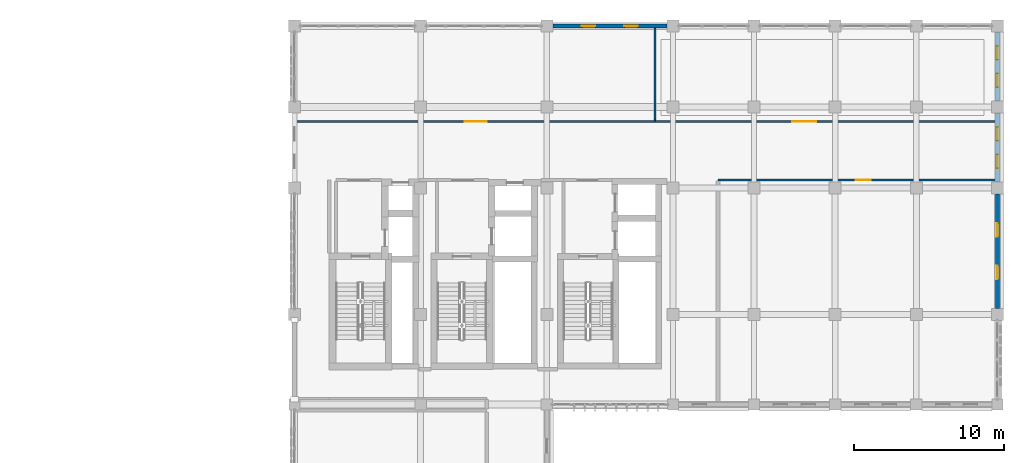
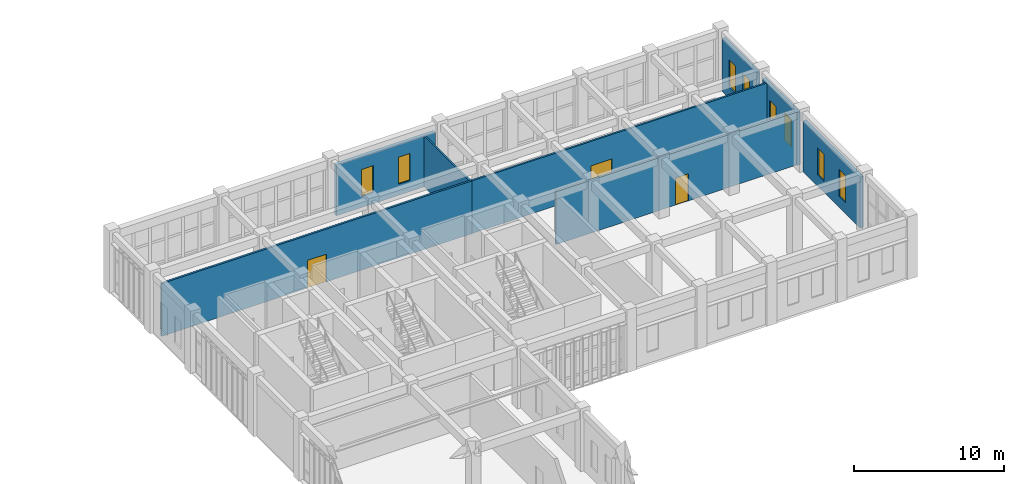
# One storey, part 68 of 77: 8 walls, 8 windows, 3 doors, 11 openings.
"""IFC4 building model written with IfcOpenShell, lengths in metres."""

from ifc_helpers import new_model, si_unit, direction, frame, frame_2d, origin, place, context, subcontext, project, spatial, rectangle, extrude, material, layer, layer_set, type_object, element, fill, save


model = new_model("IFC4")

# Units and contexts
model_context = context("Model", 3, precision=1e-05, world=origin(), true_north=direction((0.0, 1.0)))
body_context = subcontext(model_context, "Body", "Model", "MODEL_VIEW")
ifc_project = project(units=[si_unit("LENGTHUNIT", "METRE"), si_unit("AREAUNIT", "SQUARE_METRE"), si_unit("VOLUMEUNIT", "CUBIC_METRE"), si_unit("PLANEANGLEUNIT", "RADIAN"), si_unit("MASSUNIT", "GRAM", prefix="KILO")], contexts=[model_context])

# Site, building, storey
site_placement = place(None, origin())
site = spatial("IfcSite", under=ifc_project, at=site_placement, CompositionType="ELEMENT")
building_placement = place(site_placement, origin())
building = spatial("IfcBuilding", under=site, at=building_placement, Name="Krzemoval Escarpment Law Courts", CompositionType="ELEMENT")
storey_placement = place(building_placement, frame((0.0, 0.0, 15.300048828125)))
storey = spatial("IfcBuildingStorey", under=building, at=storey_placement, Name="L03", CompositionType="ELEMENT", Elevation=15.300048828125)

# Wall, openings, windows
ifc_material_1 = material(Name="Precast concrete C40/50", Category="concrete")
ifc_layer_1 = layer(ifc_material_1, 0.260009765625)
ifc_layer_set_1 = layer_set([ifc_layer_1], Name="Precast concrete C40/50")
wall_type_1 = type_object("IfcWallType", Name="WL-EXT-260", PredefinedType="SOLIDWALL", material=ifc_layer_set_1)
wall_1_placement = place(storey_placement, frame((143.199951171875, 118.800048828125, 0.0), z_axis=(0.0, 0.0, 1.0), x_axis=(1.0, 0.0, 0.0)))
wall_1 = element("IfcWall", 1, at=wall_1_placement, inside=storey, type_object=wall_type_1, Name="Exterior Wall EW-L03-0380", PredefinedType="SOLIDWALL", context=body_context, shape_type="SweptSolid", body=[
    extrude(rectangle(XDim=7.60009765625, YDim=0.260009765625, at=frame_2d((3.800048828125, 0.0))), origin(), (0.0, 0.0, 1.0), 4.139892578125),
])
opening_1_placement = place(wall_1_placement, frame((1.93310546875, 0.0, 0.89990234375)))
opening_1 = element("IfcOpeningElement", 2, at=opening_1_placement, cuts=wall_1, Name="Opening WN-L03-0438", PredefinedType="OPENING", context=body_context, shape_type="SweptSolid", body=[
    extrude(rectangle(XDim=0.89990234375, YDim=2.199951171875, at=frame_2d((0.449951171875, 1.10009765625))), frame((0.0, 0.145, 0.0), z_axis=(0.0, -1.0, 0.0), x_axis=(1.0, 0.0, 0.0)), (0.0, 0.0, 1.0), 0.29001),
])
opening_2_placement = place(wall_1_placement, frame((4.76708984375, 0.0, 0.89990234375)))
opening_2 = element("IfcOpeningElement", 3, at=opening_2_placement, cuts=wall_1, Name="Opening WN-L03-0439", PredefinedType="OPENING", context=body_context, shape_type="SweptSolid", body=[
    extrude(rectangle(XDim=0.89990234375, YDim=2.199951171875, at=frame_2d((0.449951171875, 1.10009765625))), frame((0.0, 0.145, 0.0), z_axis=(0.0, -1.0, 0.0), x_axis=(1.0, 0.0, 0.0)), (0.0, 0.0, 1.0), 0.29001),
])
ifc_material_2 = material(Name="Thermally Broken Aluminium Frame with Triple Low-E Acoustic Glass", Category="aluminium")
window_type = type_object("IfcWindowType", Name="WN-900x2200", PartitioningType="SINGLE_PANEL", PredefinedType="WINDOW", material=ifc_material_2)
window_1_placement = place(opening_1_placement, origin())
window_1 = element("IfcWindow", 4, at=window_1_placement, inside=storey, type_object=window_type, Name="Facade Window WN-L03-0438", OverallHeight=2.199951171875, OverallWidth=0.89990234375, PartitioningType="SINGLE_PANEL", PredefinedType="WINDOW", context=body_context, shape_type="SweptSolid", body=[
    extrude(rectangle(XDim=0.89990234375, YDim=2.199951171875, at=frame_2d((0.449951171875, 1.10009765625))), frame((0.0, 0.030029296875, 0.0), z_axis=(0.0, -1.0, 0.0), x_axis=(1.0, 0.0, 0.0)), (0.0, 0.0, 1.0), 0.06005859375),
])
fill(opening_1, window_1)
window_2_placement = place(opening_2_placement, origin())
window_2 = element("IfcWindow", 5, at=window_2_placement, inside=storey, type_object=window_type, Name="Facade Window WN-L03-0439", OverallHeight=2.199951171875, OverallWidth=0.89990234375, PartitioningType="SINGLE_PANEL", PredefinedType="WINDOW", context=body_context, shape_type="SweptSolid", body=[
    extrude(rectangle(XDim=0.89990234375, YDim=2.199951171875, at=frame_2d((0.449951171875, 1.10009765625))), frame((0.0, 0.030029296875, 0.0), z_axis=(0.0, -1.0, 0.0), x_axis=(1.0, 0.0, 0.0)), (0.0, 0.0, 1.0), 0.06005859375),
])
fill(opening_2, window_2)

wall_2_placement = place(storey_placement, frame((172.800048828125, 118.39990234375, 0.0), z_axis=(0.0, 0.0, 1.0), x_axis=(0.0, -1.0, 0.0)))
wall_2 = element("IfcWall", 6, at=wall_2_placement, inside=storey, type_object=wall_type_1, Name="Exterior Wall EW-L03-0381", PredefinedType="SOLIDWALL", context=body_context, shape_type="SweptSolid", body=[
    extrude(rectangle(XDim=4.599853515625, YDim=0.260009765625, at=frame_2d((2.2998046875, 0.0))), origin(), (0.0, 0.0, 1.0), 4.2900390625),
])
opening_3_placement = place(wall_2_placement, frame((0.93310546875, 0.0, 0.89990234375)))
opening_3 = element("IfcOpeningElement", 7, at=opening_3_placement, cuts=wall_2, Name="Opening WN-L03-0440", PredefinedType="OPENING", context=body_context, shape_type="SweptSolid", body=[
    extrude(rectangle(XDim=0.89990234375, YDim=2.199951171875, at=frame_2d((0.449951171875, 1.10009765625))), frame((0.0, 0.145, 0.0), z_axis=(0.0, -1.0, 0.0), x_axis=(1.0, 0.0, 0.0)), (0.0, 0.0, 1.0), 0.29001),
])
opening_4_placement = place(wall_2_placement, frame((2.76708984375, 0.0, 0.89990234375)))
opening_4 = element("IfcOpeningElement", 8, at=opening_4_placement, cuts=wall_2, Name="Opening WN-L03-0441", PredefinedType="OPENING", context=body_context, shape_type="SweptSolid", body=[
    extrude(rectangle(XDim=0.89990234375, YDim=2.199951171875, at=frame_2d((0.449951171875, 1.10009765625))), frame((0.0, 0.145, 0.0), z_axis=(0.0, -1.0, 0.0), x_axis=(1.0, 0.0, 0.0)), (0.0, 0.0, 1.0), 0.29001),
])
window_3_placement = place(opening_3_placement, origin())
window_3 = element("IfcWindow", 9, at=window_3_placement, inside=storey, type_object=window_type, Name="Facade Window WN-L03-0440", OverallHeight=2.199951171875, OverallWidth=0.89990234375, PartitioningType="SINGLE_PANEL", PredefinedType="WINDOW", context=body_context, shape_type="SweptSolid", body=[
    extrude(rectangle(XDim=0.89990234375, YDim=2.199951171875, at=frame_2d((0.449951171875, 1.10009765625))), frame((0.0, 0.030029296875, 0.0), z_axis=(0.0, -1.0, 0.0), x_axis=(1.0, 0.0, 0.0)), (0.0, 0.0, 1.0), 0.06005859375),
])
fill(opening_3, window_3)
window_4_placement = place(opening_4_placement, origin())
window_4 = element("IfcWindow", 10, at=window_4_placement, inside=storey, type_object=window_type, Name="Facade Window WN-L03-0441", OverallHeight=2.199951171875, OverallWidth=0.89990234375, PartitioningType="SINGLE_PANEL", PredefinedType="WINDOW", context=body_context, shape_type="SweptSolid", body=[
    extrude(rectangle(XDim=0.89990234375, YDim=2.199951171875, at=frame_2d((0.449951171875, 1.10009765625))), frame((0.0, 0.030029296875, 0.0), z_axis=(0.0, -1.0, 0.0), x_axis=(1.0, 0.0, 0.0)), (0.0, 0.0, 1.0), 0.06005859375),
])
fill(opening_4, window_4)

wall_3_placement = place(storey_placement, frame((172.800048828125, 113.0, 0.0), z_axis=(0.0, 0.0, 1.0), x_axis=(0.0, -1.0, 0.0)))
wall_3 = element("IfcWall", 11, at=wall_3_placement, inside=storey, type_object=wall_type_1, Name="Exterior Wall EW-L03-0382", PredefinedType="SOLIDWALL", context=body_context, shape_type="SweptSolid", body=[
    extrude(rectangle(XDim=4.60009765625, YDim=0.260009765625, at=frame_2d((2.300048828125, 0.0))), origin(), (0.0, 0.0, 1.0), 4.2900390625),
])
opening_5_placement = place(wall_3_placement, frame((0.93310546875, 0.0, 0.89990234375)))
opening_5 = element("IfcOpeningElement", 12, at=opening_5_placement, cuts=wall_3, Name="Opening WN-L03-0442", PredefinedType="OPENING", context=body_context, shape_type="SweptSolid", body=[
    extrude(rectangle(XDim=0.89990234375, YDim=2.199951171875, at=frame_2d((0.449951171875, 1.10009765625))), frame((0.0, 0.145, 0.0), z_axis=(0.0, -1.0, 0.0), x_axis=(1.0, 0.0, 0.0)), (0.0, 0.0, 1.0), 0.29001),
])
opening_6_placement = place(wall_3_placement, frame((2.76708984375, 0.0, 0.89990234375)))
opening_6 = element("IfcOpeningElement", 13, at=opening_6_placement, cuts=wall_3, Name="Opening WN-L03-0443", PredefinedType="OPENING", context=body_context, shape_type="SweptSolid", body=[
    extrude(rectangle(XDim=0.89990234375, YDim=2.199951171875, at=frame_2d((0.449951171875, 1.10009765625))), frame((0.0, 0.145, 0.0), z_axis=(0.0, -1.0, 0.0), x_axis=(1.0, 0.0, 0.0)), (0.0, 0.0, 1.0), 0.29001),
])
window_5_placement = place(opening_5_placement, origin())
window_5 = element("IfcWindow", 14, at=window_5_placement, inside=storey, type_object=window_type, Name="Facade Window WN-L03-0442", OverallHeight=2.199951171875, OverallWidth=0.89990234375, PartitioningType="SINGLE_PANEL", PredefinedType="WINDOW", context=body_context, shape_type="SweptSolid", body=[
    extrude(rectangle(XDim=0.89990234375, YDim=2.199951171875, at=frame_2d((0.449951171875, 1.10009765625))), frame((0.0, 0.030029296875, 0.0), z_axis=(0.0, -1.0, 0.0), x_axis=(1.0, 0.0, 0.0)), (0.0, 0.0, 1.0), 0.06005859375),
])
fill(opening_5, window_5)
window_6_placement = place(opening_6_placement, origin())
window_6 = element("IfcWindow", 15, at=window_6_placement, inside=storey, type_object=window_type, Name="Facade Window WN-L03-0443", OverallHeight=2.199951171875, OverallWidth=0.89990234375, PartitioningType="SINGLE_PANEL", PredefinedType="WINDOW", context=body_context, shape_type="SweptSolid", body=[
    extrude(rectangle(XDim=0.89990234375, YDim=2.199951171875, at=frame_2d((0.449951171875, 1.10009765625))), frame((0.0, 0.030029296875, 0.0), z_axis=(0.0, -1.0, 0.0), x_axis=(1.0, 0.0, 0.0)), (0.0, 0.0, 1.0), 0.06005859375),
])
fill(opening_6, window_6)

wall_4_placement = place(storey_placement, frame((172.800048828125, 107.60009765625, 0.0), z_axis=(0.0, 0.0, 1.0), x_axis=(0.0, -1.0, 0.0)))
wall_4 = element("IfcWall", 16, at=wall_4_placement, inside=storey, type_object=wall_type_1, Name="Exterior Wall EW-L03-0383", PredefinedType="SOLIDWALL", context=body_context, shape_type="SweptSolid", body=[
    extrude(rectangle(XDim=7.60009765625, YDim=0.260009765625, at=frame_2d((3.800048828125, 0.0))), origin(), (0.0, 0.0, 1.0), 4.139892578125),
])
opening_7_placement = place(wall_4_placement, frame((1.93310546875, 0.0, 0.89990234375)))
opening_7 = element("IfcOpeningElement", 17, at=opening_7_placement, cuts=wall_4, Name="Opening WN-L03-0444", PredefinedType="OPENING", context=body_context, shape_type="SweptSolid", body=[
    extrude(rectangle(XDim=0.89990234375, YDim=2.199951171875, at=frame_2d((0.449951171875, 1.10009765625))), frame((0.0, 0.145, 0.0), z_axis=(0.0, -1.0, 0.0), x_axis=(1.0, 0.0, 0.0)), (0.0, 0.0, 1.0), 0.29001),
])
opening_8_placement = place(wall_4_placement, frame((4.76708984375, 0.0, 0.89990234375)))
opening_8 = element("IfcOpeningElement", 18, at=opening_8_placement, cuts=wall_4, Name="Opening WN-L03-0445", PredefinedType="OPENING", context=body_context, shape_type="SweptSolid", body=[
    extrude(rectangle(XDim=0.89990234375, YDim=2.199951171875, at=frame_2d((0.449951171875, 1.10009765625))), frame((0.0, 0.145, 0.0), z_axis=(0.0, -1.0, 0.0), x_axis=(1.0, 0.0, 0.0)), (0.0, 0.0, 1.0), 0.29001),
])
window_7_placement = place(opening_7_placement, origin())
window_7 = element("IfcWindow", 19, at=window_7_placement, inside=storey, type_object=window_type, Name="Facade Window WN-L03-0444", OverallHeight=2.199951171875, OverallWidth=0.89990234375, PartitioningType="SINGLE_PANEL", PredefinedType="WINDOW", context=body_context, shape_type="SweptSolid", body=[
    extrude(rectangle(XDim=0.89990234375, YDim=2.199951171875, at=frame_2d((0.449951171875, 1.10009765625))), frame((0.0, 0.030029296875, 0.0), z_axis=(0.0, -1.0, 0.0), x_axis=(1.0, 0.0, 0.0)), (0.0, 0.0, 1.0), 0.06005859375),
])
fill(opening_7, window_7)
window_8_placement = place(opening_8_placement, origin())
window_8 = element("IfcWindow", 20, at=window_8_placement, inside=storey, type_object=window_type, Name="Facade Window WN-L03-0445", OverallHeight=2.199951171875, OverallWidth=0.89990234375, PartitioningType="SINGLE_PANEL", PredefinedType="WINDOW", context=body_context, shape_type="SweptSolid", body=[
    extrude(rectangle(XDim=0.89990234375, YDim=2.199951171875, at=frame_2d((0.449951171875, 1.10009765625))), frame((0.0, 0.030029296875, 0.0), z_axis=(0.0, -1.0, 0.0), x_axis=(1.0, 0.0, 0.0)), (0.0, 0.0, 1.0), 0.06005859375),
])
fill(opening_8, window_8)

# Wall
ifc_material_3 = material(Name="Standard Metal-Stud Gypsum Partition", Category="gypsum")
ifc_layer_2 = layer(ifc_material_3, 0.125)
ifc_layer_set_2 = layer_set([ifc_layer_2], Name="Standard Metal-Stud Gypsum Partition")
wall_type_2 = type_object("IfcWallType", Name="WL-PRT-125", PredefinedType="PARTITIONING", material=ifc_layer_set_2)
wall_5_placement = place(storey_placement, frame((150.0, 112.527099609375, 0.0), z_axis=(0.0, 0.0, 1.0), x_axis=(0.0, 1.0, 0.0)))
element("IfcWall", 21, at=wall_5_placement, inside=storey, type_object=wall_type_2, Name="Interior Partition PW-L03-0586", PredefinedType="PARTITIONING", context=body_context, shape_type="SweptSolid", body=[
    extrude(rectangle(XDim=6.140869140625, YDim=0.125, at=frame_2d((3.0703125, 0.0))), origin(), (0.0, 0.0, 1.0), 4.139892578125),
])

# Wall, opening, door
ifc_material_4 = material(Name="Sanitary Moisture-Resistant Partition", Category="gypsum")
ifc_layer_3 = layer(ifc_material_4, 0.139892578125)
ifc_layer_set_3 = layer_set([ifc_layer_3], Name="Sanitary Moisture-Resistant Partition")
wall_type_3 = type_object("IfcWallType", Name="WL-PRT-140", PredefinedType="PARTITIONING", material=ifc_layer_set_3)
wall_6_placement = place(storey_placement, frame((150.0, 112.449951171875, 0.0), z_axis=(0.0, 0.0, 1.0), x_axis=(1.0, 0.0, 0.0)))
wall_6 = element("IfcWall", 22, at=wall_6_placement, inside=storey, type_object=wall_type_3, Name="Interior Partition PW-L03-0531", PredefinedType="PARTITIONING", context=body_context, shape_type="SweptSolid", body=[
    extrude(rectangle(XDim=22.66796875, YDim=0.139892578125, at=frame_2d((11.333984375, 0.0))), origin(), (0.0, 0.0, 1.0), 4.2900390625),
])
opening_9_placement = place(wall_6_placement, frame((9.134033203125, 0.0, 0.0)))
opening_9 = element("IfcOpeningElement", 23, at=opening_9_placement, cuts=wall_6, Name="Opening D-L03-0198", PredefinedType="OPENING", context=body_context, shape_type="SweptSolid", body=[
    extrude(rectangle(XDim=1.60009765625, YDim=2.300048828125, at=frame_2d((0.800048828125, 1.14990234375))), frame((0.0, 0.08495, 0.0), z_axis=(0.0, -1.0, 0.0), x_axis=(1.0, 0.0, 0.0)), (0.0, 0.0, 1.0), 0.16989),
])
ifc_material_5 = material(Name="Engineered Solid-Core Oak Acoustic Timber", Category="wood")
door_type_1 = type_object("IfcDoorType", Name="DR-CRT-1600x2300", OperationType="SINGLE_SWING_LEFT", PredefinedType="DOOR", material=ifc_material_5)
door_1_placement = place(opening_9_placement, origin())
door_1 = element("IfcDoor", 24, at=door_1_placement, inside=storey, type_object=door_type_1, Name="Room Door D-L03-0198", OperationType="SINGLE_SWING_LEFT", OverallHeight=2.300048828125, OverallWidth=1.60009765625, PredefinedType="DOOR", context=body_context, shape_type="SweptSolid", body=[
    extrude(rectangle(XDim=1.60009765625, YDim=2.300048828125, at=frame_2d((0.800048828125, 1.14990234375))), frame((0.0, 0.02490234375, 0.0), z_axis=(0.0, -1.0, 0.0), x_axis=(1.0, 0.0, 0.0)), (0.0, 0.0, 1.0), 0.050048828125),
])
fill(opening_9, door_1)

ifc_material_6 = material(Name="Office Acoustic Partition Wall", Category="gypsum")
ifc_layer_4 = layer(ifc_material_6, 0.14990234375)
ifc_layer_set_4 = layer_set([ifc_layer_4], Name="Office Acoustic Partition Wall")
wall_type_4 = type_object("IfcWallType", Name="WL-PRT-150", PredefinedType="PARTITIONING", material=ifc_layer_set_4)
wall_7_placement = place(storey_placement, frame((126.132080078125, 112.449951171875, 0.0), z_axis=(0.0, 0.0, 1.0), x_axis=(1.0, 0.0, 0.0)))
wall_7 = element("IfcWall", 25, at=wall_7_placement, inside=storey, type_object=wall_type_4, Name="Interior Partition PW-L03-0530", PredefinedType="PARTITIONING", context=body_context, shape_type="SweptSolid", body=[
    extrude(rectangle(XDim=23.867919921875, YDim=0.14990234375, at=frame_2d((11.93408203125, 0.0))), origin(), (0.0, 0.0, 1.0), 4.2900390625),
])
opening_10_placement = place(wall_7_placement, frame((11.208984375, 0.0, 0.0)))
opening_10 = element("IfcOpeningElement", 26, at=opening_10_placement, cuts=wall_7, Name="Opening D-L03-0197", PredefinedType="OPENING", context=body_context, shape_type="SweptSolid", body=[
    extrude(rectangle(XDim=1.449951171875, YDim=2.25, at=frame_2d((0.72509765625, 1.125))), frame((0.0, 0.08995, 0.0), z_axis=(0.0, -1.0, 0.0), x_axis=(1.0, 0.0, 0.0)), (0.0, 0.0, 1.0), 0.1799),
])
ifc_material_7 = material(Name="Engineered Solid-Core Oak Acoustic Timber", Category="wood")
door_type_2 = type_object("IfcDoorType", Name="DR-INT-1450x2250", OperationType="SINGLE_SWING_LEFT", PredefinedType="DOOR", material=ifc_material_7)
door_2_placement = place(opening_10_placement, origin())
door_2 = element("IfcDoor", 27, at=door_2_placement, inside=storey, type_object=door_type_2, Name="Room Door D-L03-0197", OperationType="SINGLE_SWING_LEFT", OverallHeight=2.25, OverallWidth=1.449951171875, PredefinedType="DOOR", context=body_context, shape_type="SweptSolid", body=[
    extrude(rectangle(XDim=1.449951171875, YDim=2.25, at=frame_2d((0.72509765625, 1.125))), frame((0.0, 0.02490234375, 0.0), z_axis=(0.0, -1.0, 0.0), x_axis=(1.0, 0.0, 0.0)), (0.0, 0.0, 1.0), 0.050048828125),
])
fill(opening_10, door_2)

ifc_material_8 = material(Name="Jury Suite Partition Assembly", Category="gypsum")
ifc_layer_5 = layer(ifc_material_8, 0.159912109375)
ifc_layer_set_5 = layer_set([ifc_layer_5], Name="Jury Suite Partition Assembly")
wall_type_5 = type_object("IfcWallType", Name="WL-PRT-160", PredefinedType="PARTITIONING", material=ifc_layer_set_5)
wall_8_placement = place(storey_placement, frame((154.199951171875, 108.550048828125, 0.0), z_axis=(0.0, 0.0, 1.0), x_axis=(1.0, 0.0, 0.0)))
wall_8 = element("IfcWall", 28, at=wall_8_placement, inside=storey, type_object=wall_type_5, Name="Interior Partition PW-L03-0529", PredefinedType="PARTITIONING", context=body_context, shape_type="SweptSolid", body=[
    extrude(rectangle(XDim=18.468017578125, YDim=0.159912109375, at=frame_2d((9.23388671875, 0.0))), origin(), (0.0, 0.0, 1.0), 4.2900390625),
])
opening_11_placement = place(wall_8_placement, frame((9.18408203125, 0.0, 0.0)))
opening_11 = element("IfcOpeningElement", 29, at=opening_11_placement, cuts=wall_8, Name="Opening D-L03-0199", PredefinedType="OPENING", context=body_context, shape_type="SweptSolid", body=[
    extrude(rectangle(XDim=1.0, YDim=2.199951171875, at=frame_2d((0.5, 1.10009765625))), frame((0.0, 0.09496, 0.0), z_axis=(0.0, -1.0, 0.0), x_axis=(1.0, 0.0, 0.0)), (0.0, 0.0, 1.0), 0.18991),
])
ifc_material_9 = material(Name="Engineered Solid-Core Oak Acoustic Timber", Category="wood")
door_type_3 = type_object("IfcDoorType", Name="DR-INT-1000x2200", OperationType="SINGLE_SWING_LEFT", PredefinedType="DOOR", material=ifc_material_9)
door_3_placement = place(opening_11_placement, origin())
door_3 = element("IfcDoor", 30, at=door_3_placement, inside=storey, type_object=door_type_3, Name="Room Door D-L03-0199", OperationType="SINGLE_SWING_LEFT", OverallHeight=2.199951171875, OverallWidth=1.0, PredefinedType="DOOR", context=body_context, shape_type="SweptSolid", body=[
    extrude(rectangle(XDim=1.0, YDim=2.199951171875, at=frame_2d((0.5, 1.10009765625))), frame((0.0, 0.02490234375, 0.0), z_axis=(0.0, -1.0, 0.0), x_axis=(1.0, 0.0, 0.0)), (0.0, 0.0, 1.0), 0.050048828125),
])
fill(opening_11, door_3)

save(model, "model.ifc")
